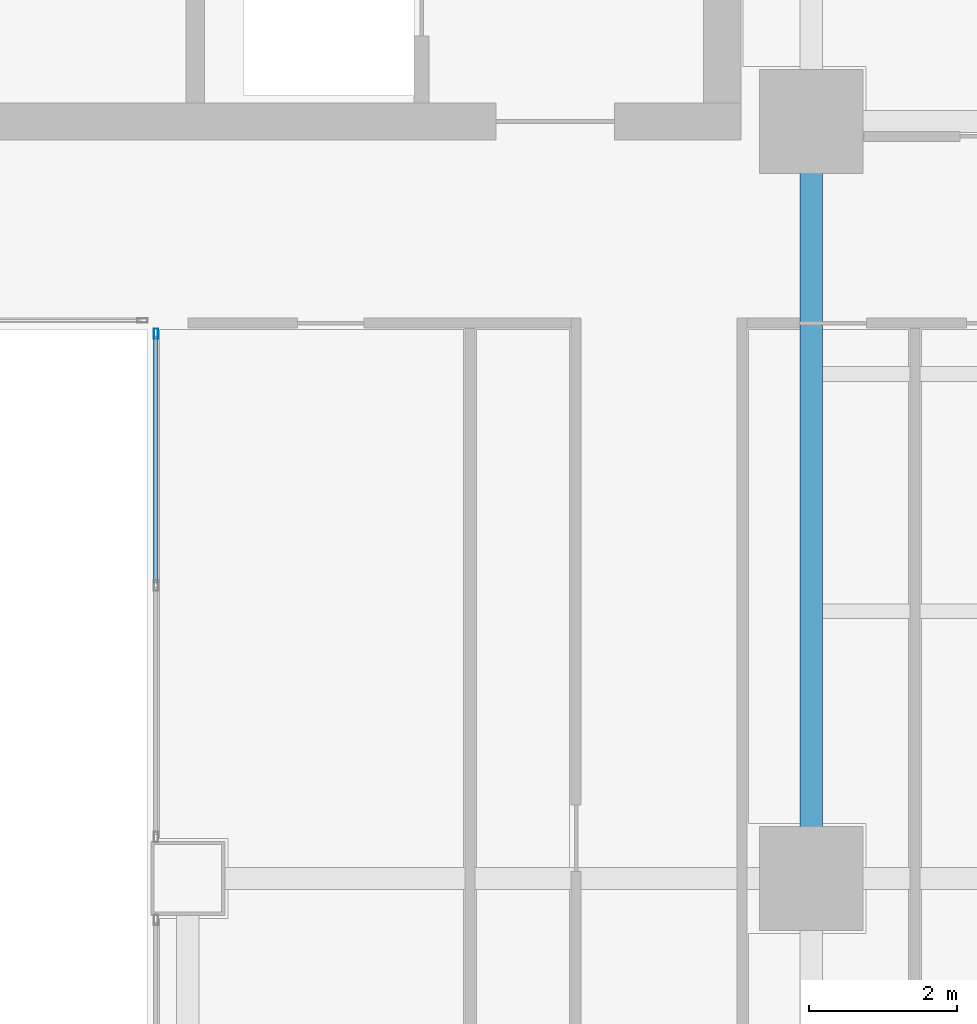
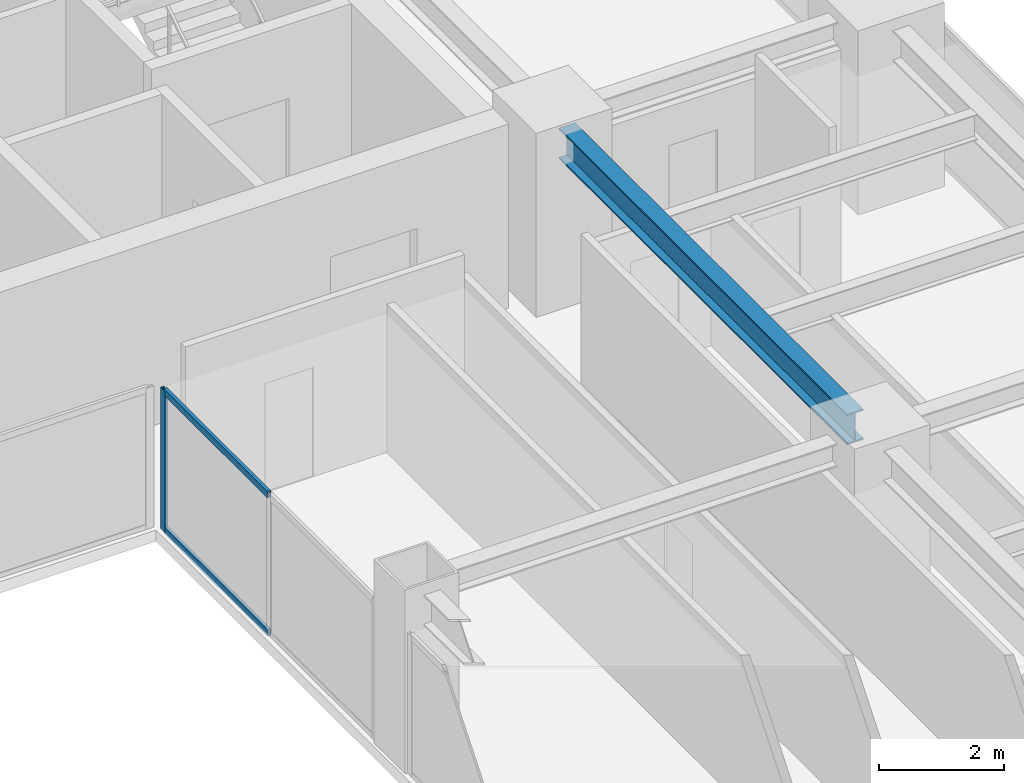
# One storey, part 16 of 29: 3 members, 1 beam, 1 element without a shape of its own.
"""IFC4 building model written with IfcOpenShell, lengths in metres."""

from ifc_helpers import new_model, si_unit, direction, frame, origin, origin_2d, place, context, subcontext, project, spatial, hollow_rectangle, i_section, extrude, source, transform, mapped, material, layer, layer_set, material_profile, profile_set, type_object, element, aggregate, save


model = new_model("IFC4")

# Units and contexts
model_context = context("Model", 3, precision=1e-05, world=origin(), true_north=direction((0.0, 1.0)))
body_context = subcontext(model_context, "Body", "Model", "MODEL_VIEW")
ifc_project = project(units=[si_unit("LENGTHUNIT", "METRE"), si_unit("AREAUNIT", "SQUARE_METRE"), si_unit("VOLUMEUNIT", "CUBIC_METRE"), si_unit("PLANEANGLEUNIT", "RADIAN"), si_unit("MASSUNIT", "GRAM", prefix="KILO")], contexts=[model_context])

# Site, building, storey
site_placement = place(None, origin())
site = spatial("IfcSite", under=ifc_project, at=site_placement, CompositionType="ELEMENT")
building_placement = place(site_placement, origin())
building = spatial("IfcBuilding", under=site, at=building_placement, Name="Sumidabori Civic Tower", CompositionType="ELEMENT")
storey_placement = place(building_placement, frame((0.0, 0.0, 203.60009765625)))
storey = spatial("IfcBuildingStorey", under=building, at=storey_placement, Name="L52", CompositionType="ELEMENT", Elevation=203.60009765625)

# Beam
ifc_material_1 = material(Name="Steel SN490", Category="steel")
ifc_material_profile_1 = material_profile(ifc_material_1, i_section(OverallWidth=0.300048828125, OverallDepth=0.60009765625, WebThickness=0.015380859375, FlangeThickness=0.030029296875, at=origin_2d()), Name="HE 600 B")
ifc_profile_set_1 = profile_set([ifc_material_profile_1], Name="Steel SN490")
beam_type = type_object("IfcBeamType", Name="BM-GIRD-600", PredefinedType="BEAM", material=ifc_profile_set_1)
shared_shape_1 = source(origin(), body_context, "Body", "SweptSolid", [
    extrude(i_section(OverallWidth=0.300048828125, OverallDepth=0.60009765625, WebThickness=0.015380859375, FlangeThickness=0.030029296875, at=origin_2d()), origin(), (0.0, 0.0, 1.0), 9.239990234375),
])
beam_placement = place(storey_placement, frame((16.800048828125, 0.47998046875, 3.079833984375), z_axis=(0.0, 1.0, 0.0), x_axis=(-1.0, 0.0, 0.0)))
element("IfcBeam", 1, at=beam_placement, inside=storey, type_object=beam_type, Name="Primary Girder L52 GY-20", PredefinedType="BEAM", context=body_context, shape_type="MappedRepresentation", body=[
    mapped(shared_shape_1, transform((0.0, 0.0, 0.0), x_axis=(1.0, 0.0, 0.0), y_axis=(0.0, 1.0, 0.0), z_axis=(0.0, 0.0, 1.0), scale=1.0)),
])

# Curtain wall, members
ifc_material_2 = material(Name="Anodised Bronze Aluminium AW-6063-T6", Category="aluminium")
ifc_layer = layer(ifc_material_2, 0.179931640625, Name="Anodised Bronze Aluminium AW-6063-T6")
ifc_layer_set = layer_set([ifc_layer], Name="Anodised Bronze Aluminium AW-6063-T6")
curtain_wall_type = type_object("IfcCurtainWallType", Name="CW-SYS-4", PredefinedType="NOTDEFINED", material=ifc_layer_set)
curtain_wall_placement = place(storey_placement, origin())
curtain_wall = element("IfcCurtainWall", 2, at=curtain_wall_placement, inside=storey, type_object=curtain_wall_type, Name="Curtain Wall CW:L52:R06", PredefinedType="NOTDEFINED")
ifc_material_profile_2 = material_profile(ifc_material_2, hollow_rectangle(XDim=0.06005859375, YDim=0.139892578125, WallThickness=0.0048828125, at=origin_2d()), Name="ALU MULLION 140x60")
ifc_profile_set_2 = profile_set([ifc_material_profile_2], Name="Anodised Bronze Aluminium AW-6063-T6")
member_type_1 = type_object("IfcMemberType", Name="CW-MUL-140", PredefinedType="MULLION", material=ifc_profile_set_2)
shared_shape_2 = source(origin(), body_context, "Body", "SweptSolid", [
    extrude(hollow_rectangle(XDim=0.06005859375, YDim=0.139892578125, WallThickness=0.0048828125, at=origin_2d()), origin(), (0.0, 0.0, 1.0), 2.760009765625),
])
member_1_placement = place(storey_placement, frame((7.969970703125, 7.340087890625, 0.0), z_axis=(0.0, 0.0, 1.0), x_axis=(1.0, 0.0, 0.0)))
member_1 = element("IfcMember", 3, at=member_1_placement, type_object=member_type_1, Name="CW-4 mullion 1", PredefinedType="MULLION", context=body_context, shape_type="MappedRepresentation", body=[
    mapped(shared_shape_2, transform((0.0, 0.0, 0.0), x_axis=(1.0, 0.0, 0.0), y_axis=(0.0, 1.0, 0.0), z_axis=(0.0, 0.0, 1.0), scale=1.0)),
])
ifc_material_profile_3 = material_profile(ifc_material_2, hollow_rectangle(XDim=0.06005859375, YDim=0.1298828125, WallThickness=0.0048828125, at=origin_2d()), Name="ALU TRANSOM 130x60")
ifc_profile_set_3 = profile_set([ifc_material_profile_3], Name="Anodised Bronze Aluminium AW-6063-T6")
member_type_2 = type_object("IfcMemberType", Name="CW-TRN-130", PredefinedType="USERDEFINED", material=ifc_profile_set_3)
shared_shape_3 = source(origin(), body_context, "Body", "SweptSolid", [
    extrude(hollow_rectangle(XDim=0.06005859375, YDim=0.1298828125, WallThickness=0.0048828125, at=origin_2d()), origin(), (0.0, 0.0, 1.0), 3.330078125),
])
member_2_placement = place(storey_placement, frame((7.969970703125, 7.31005859375, 0.02978515625), z_axis=(0.0, -1.0, 0.0), x_axis=(1.0, 0.0, 0.0)))
member_2 = element("IfcMember", 4, at=member_2_placement, type_object=member_type_2, Name="CW-4 transom 1.1", ObjectType="TRANSOM", PredefinedType="USERDEFINED", context=body_context, shape_type="MappedRepresentation", body=[
    mapped(shared_shape_3, transform((0.0, 0.0, 0.0), x_axis=(1.0, 0.0, 0.0), y_axis=(0.0, 1.0, 0.0), z_axis=(0.0, 0.0, 1.0), scale=1.0)),
])
member_3_placement = place(storey_placement, frame((7.969970703125, 7.31005859375, 2.72998046875), z_axis=(0.0, -1.0, 0.0), x_axis=(1.0, 0.0, 0.0)))
member_3 = element("IfcMember", 5, at=member_3_placement, type_object=member_type_2, Name="CW-4 transom 1.2", ObjectType="TRANSOM", PredefinedType="USERDEFINED", context=body_context, shape_type="MappedRepresentation", body=[
    mapped(shared_shape_3, transform((0.0, 0.0, 0.0), x_axis=(1.0, 0.0, 0.0), y_axis=(0.0, 1.0, 0.0), z_axis=(0.0, 0.0, 1.0), scale=1.0)),
])
aggregate(curtain_wall, [member_1, member_2, member_3])

save(model, "model.ifc")
